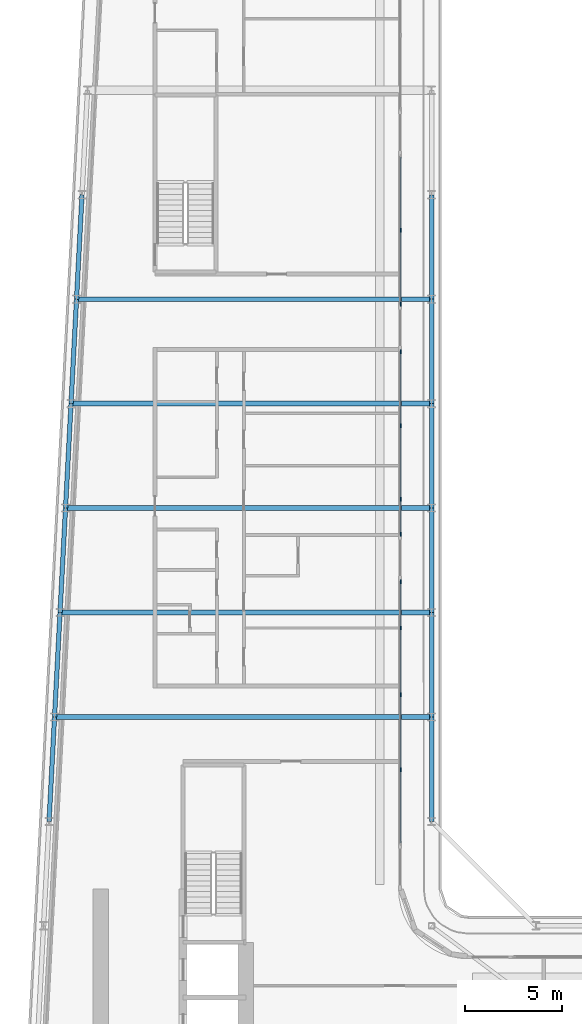
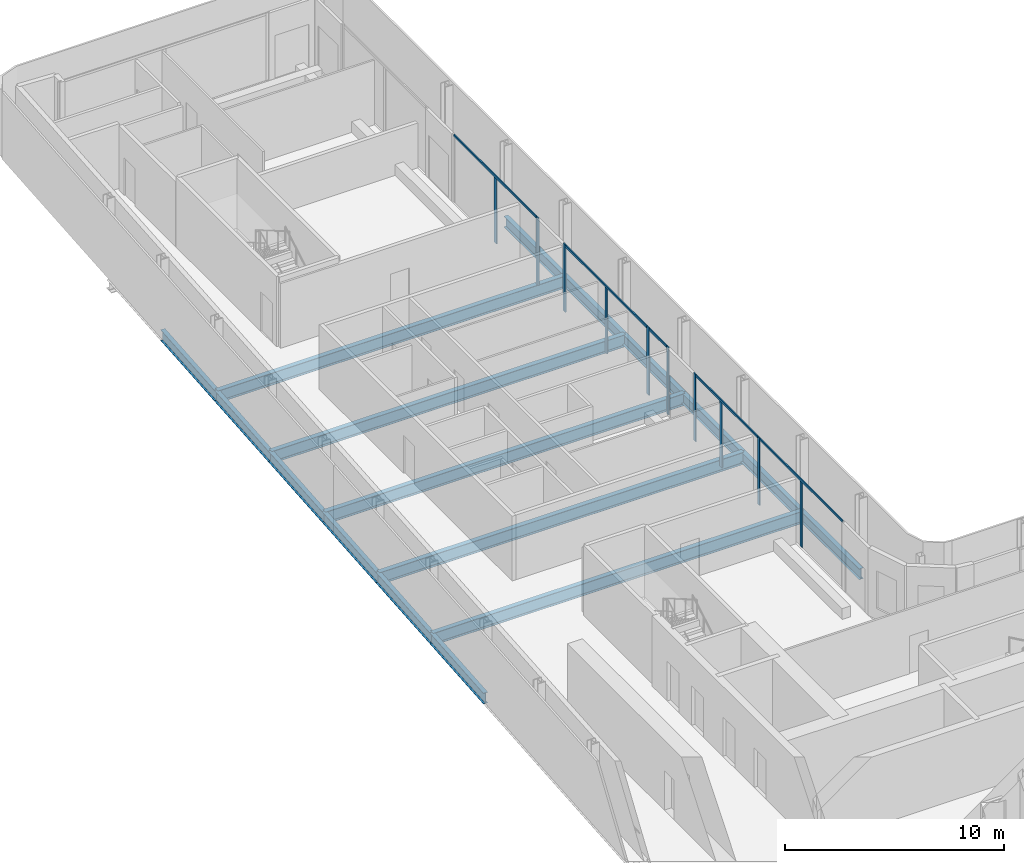
# One storey, part 9 of 28: 17 beams, 15 members, 5 elements without a shape of their own.
"""IFC4 building model written with IfcOpenShell, lengths in metres."""

from ifc_helpers import new_model, si_unit, direction, frame, origin, origin_2d, place, context, subcontext, project, spatial, rectangle, i_section, extrude, material, layer, layer_set, material_profile, profile_set, type_object, element, aggregate, save


model = new_model("IFC4")

# Units and contexts
model_context = context("Model", 3, precision=1e-05, world=origin(), true_north=direction((0.0, 1.0)))
body_context = subcontext(model_context, "Body", "Model", "MODEL_VIEW")
ifc_project = project(units=[si_unit("LENGTHUNIT", "METRE"), si_unit("AREAUNIT", "SQUARE_METRE"), si_unit("VOLUMEUNIT", "CUBIC_METRE"), si_unit("PLANEANGLEUNIT", "RADIAN"), si_unit("MASSUNIT", "GRAM", prefix="KILO")], contexts=[model_context])

# Site, building, storey
site_placement = place(None, origin())
site = spatial("IfcSite", under=ifc_project, at=site_placement, CompositionType="ELEMENT")
building_placement = place(site_placement, origin())
building = spatial("IfcBuilding", under=site, at=building_placement, Name="Kheshtan School and Residences Tower", CompositionType="ELEMENT")
storey_placement = place(building_placement, frame((0.0, 0.0, 191.60009765625)))
storey = spatial("IfcBuildingStorey", under=building, at=storey_placement, Name="L45", CompositionType="ELEMENT", Elevation=191.60009765625)

# Beams
ifc_material_1 = material(Name="Steel ASTM A992 Grade 50", Category="steel")
ifc_material_profile_1 = material_profile(ifc_material_1, i_section(OverallWidth=0.2529296875, OverallDepth=0.677978515625, WebThickness=0.01171875, FlangeThickness=0.016357421875, FilletRadius=0.0146484375, at=origin_2d()), Name="W690x125")
ifc_profile_set_1 = profile_set([ifc_material_profile_1], Name="Steel ASTM A992 Grade 50")
beam_type_1 = type_object("IfcBeamType", Name="Beam FB6 W690x125 ASTM A992 Grade 50", PredefinedType="BEAM", material=ifc_profile_set_1)
beam_1_placement = place(storey_placement, frame((47.60009765625, 78.0, -0.489013671875), z_axis=(-1.0, 0.0, 0.0), x_axis=(0.0, -1.0, 0.0)))
element("IfcBeam", 1, at=beam_1_placement, inside=storey, type_object=beam_type_1, Name="Floor beam C089", PredefinedType="BEAM", context=body_context, shape_type="SweptSolid", body=[
    extrude(i_section(OverallWidth=0.2529296875, OverallDepth=0.677978515625, WebThickness=0.01171875, FlangeThickness=0.016357421875, FilletRadius=0.0146484375, at=origin_2d()), origin(), (0.0, 0.0, 1.0), 18.357177734375),
])
beam_2_placement = place(storey_placement, frame((47.60009765625, 67.199951171875, -0.489013671875), z_axis=(-1.0, 0.0, 0.0), x_axis=(0.0, -1.0, 0.0)))
element("IfcBeam", 2, at=beam_2_placement, inside=storey, type_object=beam_type_1, Name="Floor beam C085", PredefinedType="BEAM", context=body_context, shape_type="SweptSolid", body=[
    extrude(i_section(OverallWidth=0.2529296875, OverallDepth=0.677978515625, WebThickness=0.01171875, FlangeThickness=0.016357421875, FilletRadius=0.0146484375, at=origin_2d()), origin(), (0.0, 0.0, 1.0), 18.926025390625),
])
beam_3_placement = place(storey_placement, frame((47.60009765625, 56.39990234375, -0.489013671875), z_axis=(-1.0, 0.0, 0.0), x_axis=(0.0, -1.0, 0.0)))
element("IfcBeam", 3, at=beam_3_placement, inside=storey, type_object=beam_type_1, Name="Floor beam C081", PredefinedType="BEAM", context=body_context, shape_type="SweptSolid", body=[
    extrude(i_section(OverallWidth=0.2529296875, OverallDepth=0.677978515625, WebThickness=0.01171875, FlangeThickness=0.016357421875, FilletRadius=0.0146484375, at=origin_2d()), origin(), (0.0, 0.0, 1.0), 19.494140625),
])
beam_4_placement = place(storey_placement, frame((28.389892578125, 61.800048828125, -0.489013671875), z_axis=(1.0, 0.0, 0.0), x_axis=(0.0, 1.0, 0.0)))
element("IfcBeam", 4, at=beam_4_placement, inside=storey, type_object=beam_type_1, Name="Floor beam C082", PredefinedType="BEAM", context=body_context, shape_type="SweptSolid", body=[
    extrude(i_section(OverallWidth=0.2529296875, OverallDepth=0.677978515625, WebThickness=0.01171875, FlangeThickness=0.016357421875, FilletRadius=0.0146484375, at=origin_2d()), origin(), (0.0, 0.0, 1.0), 19.210205078125),
])
beam_5_placement = place(storey_placement, frame((28.9580078125, 72.60009765625, -0.489013671875), z_axis=(1.0, 0.0, 0.0), x_axis=(0.0, 1.0, 0.0)))
element("IfcBeam", 5, at=beam_5_placement, inside=storey, type_object=beam_type_1, Name="Floor beam C086", PredefinedType="BEAM", context=body_context, shape_type="SweptSolid", body=[
    extrude(i_section(OverallWidth=0.2529296875, OverallDepth=0.677978515625, WebThickness=0.01171875, FlangeThickness=0.016357421875, FilletRadius=0.0146484375, at=origin_2d()), origin(), (0.0, 0.0, 1.0), 18.64208984375),
])
ifc_material_profile_2 = material_profile(ifc_material_1, i_section(OverallWidth=0.22802734375, OverallDepth=0.60302734375, WebThickness=0.010498046875, FlangeThickness=0.014892578125, FilletRadius=0.013427734375, at=origin_2d()), Name="W610x101")
ifc_profile_set_2 = profile_set([ifc_material_profile_2], Name="Steel ASTM A992 Grade 50")
beam_type_2 = type_object("IfcBeamType", Name="Beam SP2 W610x101 ASTM A992 Grade 50", PredefinedType="BEAM", material=ifc_profile_set_2)
for number, where, z_axis, x_axis, name in (
    (6, (47.60009765625, 83.39990234375, -0.45166015625), (0.0, -1.0, 0.0), (1.0, 0.0, 0.0), "Spandrel beam C091-C089"),
    (7, (47.60009765625, 78.0, -0.45166015625), (0.0, -1.0, 0.0), (1.0, 0.0, 0.0), "Spandrel beam C089-C087"),
):
    element("IfcBeam", number, at=place(storey_placement, frame(where, z_axis=z_axis, x_axis=x_axis)), inside=storey, type_object=beam_type_2, Name=name, PredefinedType="BEAM", context=body_context, shape_type="SweptSolid", body=[
        extrude(i_section(OverallWidth=0.22802734375, OverallDepth=0.60302734375, WebThickness=0.010498046875, FlangeThickness=0.014892578125, FilletRadius=0.013427734375, at=origin_2d()), origin(), (0.0, 0.0, 1.0), 5.39990234375),
    ])
beam_6_placement = place(storey_placement, frame((47.60009765625, 72.60009765625, -0.45166015625), z_axis=(0.0, -1.0, 0.0), x_axis=(1.0, 0.0, 0.0)))
element("IfcBeam", 8, at=beam_6_placement, inside=storey, type_object=beam_type_2, Name="Spandrel beam C087-C085", PredefinedType="BEAM", context=body_context, shape_type="SweptSolid", body=[
    extrude(i_section(OverallWidth=0.22802734375, OverallDepth=0.60302734375, WebThickness=0.010498046875, FlangeThickness=0.014892578125, FilletRadius=0.013427734375, at=origin_2d()), origin(), (0.0, 0.0, 1.0), 5.400146484375),
])
beam_7_placement = place(storey_placement, frame((47.60009765625, 67.199951171875, -0.45166015625), z_axis=(0.0, -1.0, 0.0), x_axis=(1.0, 0.0, 0.0)))
element("IfcBeam", 9, at=beam_7_placement, inside=storey, type_object=beam_type_2, Name="Spandrel beam C085-C083", PredefinedType="BEAM", context=body_context, shape_type="SweptSolid", body=[
    extrude(i_section(OverallWidth=0.22802734375, OverallDepth=0.60302734375, WebThickness=0.010498046875, FlangeThickness=0.014892578125, FilletRadius=0.013427734375, at=origin_2d()), origin(), (0.0, 0.0, 1.0), 5.39990234375),
])
beam_8_placement = place(storey_placement, frame((47.60009765625, 61.800048828125, -0.45166015625), z_axis=(0.0, -1.0, 0.0), x_axis=(1.0, 0.0, 0.0)))
element("IfcBeam", 10, at=beam_8_placement, inside=storey, type_object=beam_type_2, Name="Spandrel beam C083-C081", PredefinedType="BEAM", context=body_context, shape_type="SweptSolid", body=[
    extrude(i_section(OverallWidth=0.22802734375, OverallDepth=0.60302734375, WebThickness=0.010498046875, FlangeThickness=0.014892578125, FilletRadius=0.013427734375, at=origin_2d()), origin(), (0.0, 0.0, 1.0), 5.400146484375),
])
beam_9_placement = place(storey_placement, frame((47.60009765625, 56.39990234375, -0.45166015625), z_axis=(0.0, -1.0, 0.0), x_axis=(1.0, 0.0, 0.0)))
element("IfcBeam", 11, at=beam_9_placement, inside=storey, type_object=beam_type_2, Name="Spandrel beam C081-C079", PredefinedType="BEAM", context=body_context, shape_type="SweptSolid", body=[
    extrude(i_section(OverallWidth=0.22802734375, OverallDepth=0.60302734375, WebThickness=0.010498046875, FlangeThickness=0.014892578125, FilletRadius=0.013427734375, at=origin_2d()), origin(), (0.0, 0.0, 1.0), 5.39990234375),
])
beam_10_placement = place(storey_placement, frame((27.822021484375, 51.0, -0.45166015625), z_axis=(0.05250906864, 0.998620447272, 0.0), x_axis=(-0.998620447272, 0.05250906864, 0.0)))
element("IfcBeam", 12, at=beam_10_placement, inside=storey, type_object=beam_type_2, Name="Spandrel beam C078-C080", PredefinedType="BEAM", context=body_context, shape_type="SweptSolid", body=[
    extrude(i_section(OverallWidth=0.22802734375, OverallDepth=0.60302734375, WebThickness=0.010498046875, FlangeThickness=0.014892578125, FilletRadius=0.013427734375, at=origin_2d()), origin(), (0.0, 0.0, 1.0), 5.407470703125),
])
beam_11_placement = place(storey_placement, frame((28.10595703125, 56.39990234375, -0.45166015625), z_axis=(0.05250670125, 0.998620571751, 0.0), x_axis=(-0.998620571751, 0.05250670125, 0.0)))
element("IfcBeam", 13, at=beam_11_placement, inside=storey, type_object=beam_type_2, Name="Spandrel beam C080-C082", PredefinedType="BEAM", context=body_context, shape_type="SweptSolid", body=[
    extrude(i_section(OverallWidth=0.22802734375, OverallDepth=0.60302734375, WebThickness=0.010498046875, FlangeThickness=0.014892578125, FilletRadius=0.013427734375, at=origin_2d()), origin(), (0.0, 0.0, 1.0), 5.40771484375),
])
beam_12_placement = place(storey_placement, frame((28.389892578125, 61.800048828125, -0.45166015625), z_axis=(0.052554093665, 0.998618078766, 0.0), x_axis=(-0.998618078766, 0.052554093665, 0.0)))
element("IfcBeam", 14, at=beam_12_placement, inside=storey, type_object=beam_type_2, Name="Spandrel beam C082-C084", PredefinedType="BEAM", context=body_context, shape_type="SweptSolid", body=[
    extrude(i_section(OverallWidth=0.22802734375, OverallDepth=0.60302734375, WebThickness=0.010498046875, FlangeThickness=0.014892578125, FilletRadius=0.013427734375, at=origin_2d()), origin(), (0.0, 0.0, 1.0), 5.407470703125),
])
beam_13_placement = place(storey_placement, frame((28.674072265625, 67.199951171875, -0.45166015625), z_axis=(0.05250670125, 0.998620571751, 0.0), x_axis=(-0.998620571751, 0.05250670125, 0.0)))
element("IfcBeam", 15, at=beam_13_placement, inside=storey, type_object=beam_type_2, Name="Spandrel beam C084-C086", PredefinedType="BEAM", context=body_context, shape_type="SweptSolid", body=[
    extrude(i_section(OverallWidth=0.22802734375, OverallDepth=0.60302734375, WebThickness=0.010498046875, FlangeThickness=0.014892578125, FilletRadius=0.013427734375, at=origin_2d()), origin(), (0.0, 0.0, 1.0), 5.40771484375),
])
for number, where, z_axis, x_axis, name in (
    (16, (28.9580078125, 72.60009765625, -0.45166015625), (0.052689166816, 0.998610961136, 0.0), (-0.998610961136, 0.052689166816, 0.0), "Spandrel beam C086-C088"),
    (17, (29.242919921875, 78.0, -0.45166015625), (0.052554093665, 0.998618078766, 0.0), (-0.998618078766, 0.052554093665, 0.0), "Spandrel beam C088-C090"),
):
    element("IfcBeam", number, at=place(storey_placement, frame(where, z_axis=z_axis, x_axis=x_axis)), inside=storey, type_object=beam_type_2, Name=name, PredefinedType="BEAM", context=body_context, shape_type="SweptSolid", body=[
        extrude(i_section(OverallWidth=0.22802734375, OverallDepth=0.60302734375, WebThickness=0.010498046875, FlangeThickness=0.014892578125, FilletRadius=0.013427734375, at=origin_2d()), origin(), (0.0, 0.0, 1.0), 5.407470703125),
    ])

# Curtain wall, members
ifc_material_2 = material(Name="Clear low-e glass in thermally broken aluminium frame", Category="aluminium")
ifc_layer = layer(ifc_material_2, 0.199951171875)
ifc_layer_set = layer_set([ifc_layer], Name="Curtain wall CW-L")
curtain_wall_type = type_object("IfcCurtainWallType", Name="Curtain wall CW-L", PredefinedType="NOTDEFINED", material=ifc_layer_set)
curtain_wall_1_placement = place(storey_placement, origin())
curtain_wall_1 = element("IfcCurtainWall", 18, at=curtain_wall_1_placement, inside=storey, type_object=curtain_wall_type, Name="Curtain wall CWL8", PredefinedType="NOTDEFINED")
ifc_material_3 = material(Name="Thermally broken aluminium, dark bronze anodised", Category="aluminium")
ifc_material_profile_3 = material_profile(ifc_material_3, rectangle(XDim=0.06005859375, YDim=0.199951171875, at=origin_2d()), Name="CW-L mullion 60x200")
ifc_profile_set_3 = profile_set([ifc_material_profile_3], Name="Thermally broken aluminium, dark bronze anodised")
member_type_1 = type_object("IfcMemberType", Name="CW-L mullion 60x200", PredefinedType="MULLION", material=ifc_profile_set_3)
member_1_placement = place(storey_placement, frame((46.0, 81.55908203125, 0.0), z_axis=(0.0, 0.0, 1.0), x_axis=(1.0, 0.0, 0.0)))
member_1 = element("IfcMember", 19, at=member_1_placement, type_object=member_type_1, Name="CWL8 mullion 2", PredefinedType="MULLION", context=body_context, shape_type="SweptSolid", body=[
    extrude(rectangle(XDim=0.06005859375, YDim=0.199951171875, at=origin_2d()), origin(), (0.0, 0.0, 1.0), 3.6298828125),
])
member_2_placement = place(storey_placement, frame((46.0, 77.741943359375, 0.0), z_axis=(0.0, 0.0, 1.0), x_axis=(1.0, 0.0, 0.0)))
member_2 = element("IfcMember", 20, at=member_2_placement, type_object=member_type_1, Name="CWL8 mullion 3", PredefinedType="MULLION", context=body_context, shape_type="SweptSolid", body=[
    extrude(rectangle(XDim=0.06005859375, YDim=0.199951171875, at=origin_2d()), origin(), (0.0, 0.0, 1.0), 3.75),
])

curtain_wall_2_placement = place(storey_placement, origin())
curtain_wall_2 = element("IfcCurtainWall", 21, at=curtain_wall_2_placement, inside=storey, type_object=curtain_wall_type, Name="Curtain wall CWL8", PredefinedType="NOTDEFINED")
member_3_placement = place(storey_placement, frame((46.0, 75.281982421875, 0.0), z_axis=(0.0, 0.0, 1.0), x_axis=(1.0, 0.0, 0.0)))
member_3 = element("IfcMember", 22, at=member_3_placement, type_object=member_type_1, Name="CWL8 mullion 1", PredefinedType="MULLION", context=body_context, shape_type="SweptSolid", body=[
    extrude(rectangle(XDim=0.06005859375, YDim=0.199951171875, at=origin_2d()), origin(), (0.0, 0.0, 1.0), 3.75),
])
member_4_placement = place(storey_placement, frame((46.0, 71.465087890625, 0.0), z_axis=(0.0, 0.0, 1.0), x_axis=(1.0, 0.0, 0.0)))
member_4 = element("IfcMember", 23, at=member_4_placement, type_object=member_type_1, Name="CWL8 mullion 2", PredefinedType="MULLION", context=body_context, shape_type="SweptSolid", body=[
    extrude(rectangle(XDim=0.06005859375, YDim=0.199951171875, at=origin_2d()), origin(), (0.0, 0.0, 1.0), 3.6298828125),
])
member_5_placement = place(storey_placement, frame((46.0, 67.64794921875, 0.0), z_axis=(0.0, 0.0, 1.0), x_axis=(1.0, 0.0, 0.0)))
member_5 = element("IfcMember", 24, at=member_5_placement, type_object=member_type_1, Name="CWL8 mullion 3", PredefinedType="MULLION", context=body_context, shape_type="SweptSolid", body=[
    extrude(rectangle(XDim=0.06005859375, YDim=0.199951171875, at=origin_2d()), origin(), (0.0, 0.0, 1.0), 3.75),
])

# Curtain wall, member
curtain_wall_3_placement = place(storey_placement, origin())
curtain_wall_3 = element("IfcCurtainWall", 25, at=curtain_wall_3_placement, inside=storey, type_object=curtain_wall_type, Name="Curtain wall CWL8e", PredefinedType="NOTDEFINED")
member_6_placement = place(storey_placement, frame((46.0, 65.847900390625, 0.0), z_axis=(0.0, 0.0, 1.0), x_axis=(1.0, 0.0, 0.0)))
member_6 = element("IfcMember", 26, at=member_6_placement, type_object=member_type_1, Name="CWL8e mullion 2", PredefinedType="MULLION", context=body_context, shape_type="SweptSolid", body=[
    extrude(rectangle(XDim=0.06005859375, YDim=0.199951171875, at=origin_2d()), origin(), (0.0, 0.0, 1.0), 3.75),
])

# Curtain wall, members
curtain_wall_4_placement = place(storey_placement, origin())
curtain_wall_4 = element("IfcCurtainWall", 27, at=curtain_wall_4_placement, inside=storey, type_object=curtain_wall_type, Name="Curtain wall CWL8m", PredefinedType="NOTDEFINED")
member_7_placement = place(storey_placement, frame((46.0, 63.387939453125, 0.0), z_axis=(0.0, 0.0, 1.0), x_axis=(1.0, 0.0, 0.0)))
member_7 = element("IfcMember", 28, at=member_7_placement, type_object=member_type_1, Name="CWL8m mullion 1", PredefinedType="MULLION", context=body_context, shape_type="SweptSolid", body=[
    extrude(rectangle(XDim=0.06005859375, YDim=0.199951171875, at=origin_2d()), origin(), (0.0, 0.0, 1.0), 3.75),
])
member_8_placement = place(storey_placement, frame((46.0, 61.0, 0.0), z_axis=(0.0, 0.0, 1.0), x_axis=(1.0, 0.0, 0.0)))
member_8 = element("IfcMember", 29, at=member_8_placement, type_object=member_type_1, Name="CWL8m mullion 2", PredefinedType="MULLION", context=body_context, shape_type="SweptSolid", body=[
    extrude(rectangle(XDim=0.06005859375, YDim=0.199951171875, at=origin_2d()), origin(), (0.0, 0.0, 1.0), 3.6298828125),
])
member_9_placement = place(storey_placement, frame((46.0, 57.553955078125, 0.0), z_axis=(0.0, 0.0, 1.0), x_axis=(1.0, 0.0, 0.0)))
member_9 = element("IfcMember", 30, at=member_9_placement, type_object=member_type_1, Name="CWL8m mullion 3", PredefinedType="MULLION", context=body_context, shape_type="SweptSolid", body=[
    extrude(rectangle(XDim=0.06005859375, YDim=0.199951171875, at=origin_2d()), origin(), (0.0, 0.0, 1.0), 3.75),
])

# Curtain wall, member
curtain_wall_5_placement = place(storey_placement, origin())
curtain_wall_5 = element("IfcCurtainWall", 31, at=curtain_wall_5_placement, inside=storey, type_object=curtain_wall_type, Name="Curtain wall CWL8", PredefinedType="NOTDEFINED")
member_10_placement = place(storey_placement, frame((46.0, 53.677001953125, 0.0), z_axis=(0.0, 0.0, 1.0), x_axis=(1.0, 0.0, 0.0)))
member_10 = element("IfcMember", 32, at=member_10_placement, type_object=member_type_1, Name="CWL8 mullion 2", PredefinedType="MULLION", context=body_context, shape_type="SweptSolid", body=[
    extrude(rectangle(XDim=0.06005859375, YDim=0.199951171875, at=origin_2d()), origin(), (0.0, 0.0, 1.0), 3.6298828125),
])

# Member
ifc_material_profile_4 = material_profile(ifc_material_3, rectangle(XDim=0.06005859375, YDim=0.1201171875, at=origin_2d()), Name="CW-L transom 60x120")
ifc_profile_set_4 = profile_set([ifc_material_profile_4], Name="Thermally broken aluminium, dark bronze anodised")
member_type_2 = type_object("IfcMemberType", Name="CW-L transom 60x120", PredefinedType="USERDEFINED", material=ifc_profile_set_4)
member_11_placement = place(storey_placement, frame((46.0, 85.345947265625, 3.68994140625), z_axis=(0.0, -1.0, 0.0), x_axis=(1.0, 0.0, 0.0)))
member_11 = element("IfcMember", 33, at=member_11_placement, type_object=member_type_2, Name="CWL8 transom 1", ObjectType="TRANSOM", PredefinedType="USERDEFINED", context=body_context, shape_type="SweptSolid", body=[
    extrude(rectangle(XDim=0.06005859375, YDim=0.1201171875, at=origin_2d()), origin(), (0.0, 0.0, 1.0), 7.573974609375),
])

aggregate(curtain_wall_1, [member_1, member_2, member_11])

member_12_placement = place(storey_placement, frame((46.0, 75.251953125, 3.68994140625), z_axis=(0.0, -1.0, 0.0), x_axis=(1.0, 0.0, 0.0)))
member_12 = element("IfcMember", 34, at=member_12_placement, type_object=member_type_2, Name="CWL8 transom 1", ObjectType="TRANSOM", PredefinedType="USERDEFINED", context=body_context, shape_type="SweptSolid", body=[
    extrude(rectangle(XDim=0.06005859375, YDim=0.1201171875, at=origin_2d()), origin(), (0.0, 0.0, 1.0), 7.573974609375),
])

aggregate(curtain_wall_2, [member_3, member_4, member_5, member_12])

member_13_placement = place(storey_placement, frame((46.0, 67.617919921875, 3.68994140625), z_axis=(0.0, -1.0, 0.0), x_axis=(1.0, 0.0, 0.0)))
member_13 = element("IfcMember", 35, at=member_13_placement, type_object=member_type_2, Name="CWL8e transom 1", ObjectType="TRANSOM", PredefinedType="USERDEFINED", context=body_context, shape_type="SweptSolid", body=[
    extrude(rectangle(XDim=0.06005859375, YDim=0.1201171875, at=origin_2d()), origin(), (0.0, 0.0, 1.0), 1.739990234375),
])

aggregate(curtain_wall_3, [member_6, member_13])

member_14_placement = place(storey_placement, frame((46.0, 63.35791015625, 3.68994140625), z_axis=(0.0, -1.0, 0.0), x_axis=(1.0, 0.0, 0.0)))
member_14 = element("IfcMember", 36, at=member_14_placement, type_object=member_type_2, Name="CWL8m transom 1", ObjectType="TRANSOM", PredefinedType="USERDEFINED", context=body_context, shape_type="SweptSolid", body=[
    extrude(rectangle(XDim=0.06005859375, YDim=0.1201171875, at=origin_2d()), origin(), (0.0, 0.0, 1.0), 5.77392578125),
])

aggregate(curtain_wall_4, [member_7, member_8, member_9, member_14])

member_15_placement = place(storey_placement, frame((46.0, 57.52392578125, 3.68994140625), z_axis=(0.0, -1.0, 0.0), x_axis=(1.0, 0.0, 0.0)))
member_15 = element("IfcMember", 37, at=member_15_placement, type_object=member_type_2, Name="CWL8 transom 1", ObjectType="TRANSOM", PredefinedType="USERDEFINED", context=body_context, shape_type="SweptSolid", body=[
    extrude(rectangle(XDim=0.06005859375, YDim=0.1201171875, at=origin_2d()), origin(), (0.0, 0.0, 1.0), 7.634033203125),
])

aggregate(curtain_wall_5, [member_10, member_15])

save(model, "model.ifc")
